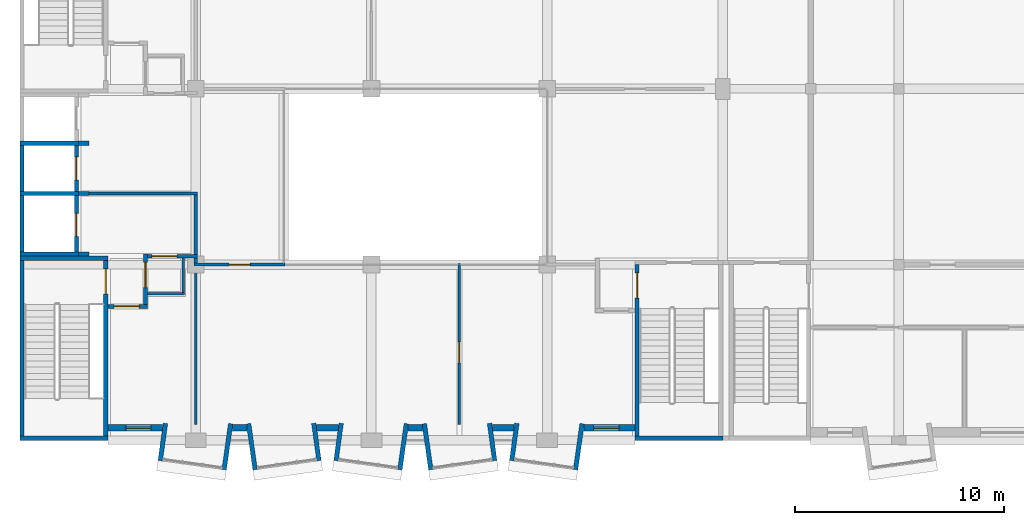
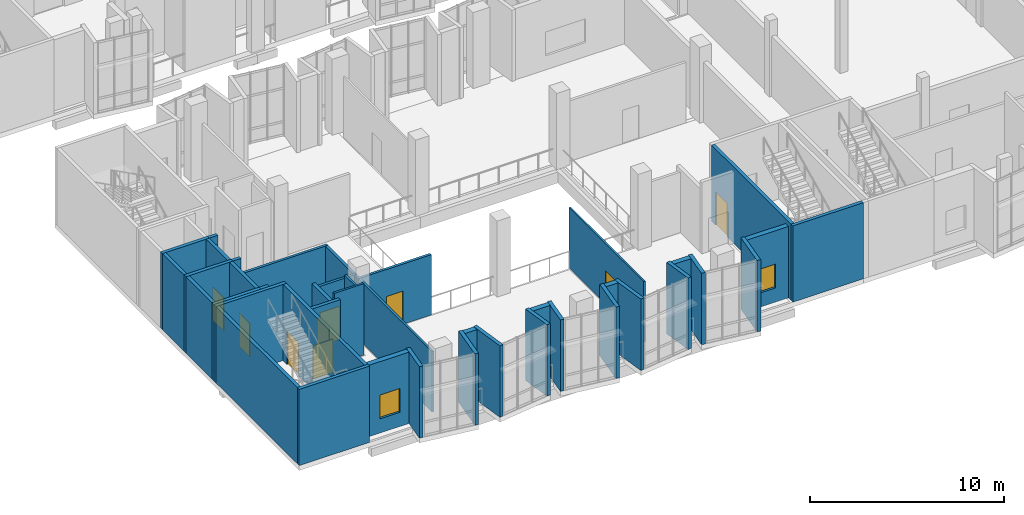
# One storey, part 41 of 86: 43 walls, 9 doors, 2 windows, 11 openings.
"""IFC4 building model written with IfcOpenShell, lengths in metres."""

from ifc_helpers import new_model, si_unit, direction, frame, frame_2d, origin, place, context, subcontext, project, spatial, rectangle, extrude, material, layer, layer_set, type_object, element, fill, save


model = new_model("IFC4")

# Units and contexts
model_context = context("Model", 3, precision=1e-05, world=origin(), true_north=direction((0.0, 1.0)))
body_context = subcontext(model_context, "Body", "Model", "MODEL_VIEW")
ifc_project = project(units=[si_unit("LENGTHUNIT", "METRE"), si_unit("AREAUNIT", "SQUARE_METRE"), si_unit("VOLUMEUNIT", "CUBIC_METRE"), si_unit("PLANEANGLEUNIT", "RADIAN"), si_unit("MASSUNIT", "GRAM", prefix="KILO")], contexts=[model_context])

# Site, building, storey
site_placement = place(None, origin())
site = spatial("IfcSite", under=ifc_project, at=site_placement, CompositionType="ELEMENT")
building_placement = place(site_placement, origin())
building = spatial("IfcBuilding", under=site, at=building_placement, Name="Kiln Court Media Centre", CompositionType="ELEMENT")
storey_placement = place(building_placement, frame((0.0, 0.0, 10.199951171875)))
storey = spatial("IfcBuildingStorey", under=building, at=storey_placement, Name="L02", CompositionType="ELEMENT", Elevation=10.199951171875)

# Wall, opening, door
ifc_material_1 = material(Name="Concrete block masonry M7.5", Category="masonry")
ifc_layer_1 = layer(ifc_material_1, 0.14990234375)
ifc_layer_set_1 = layer_set([ifc_layer_1], Name="Block lobby wall 150 EI 120")
wall_type_1 = type_object("IfcWallType", Name="Block lobby wall 150 EI 120", PredefinedType="SOLIDWALL", material=ifc_layer_set_1)
wall_1_placement = place(storey_placement, frame((6.10009765625, 8.800048828125, 0.0), z_axis=(0.0, 0.0, 1.0), x_axis=(1.0, 0.0, 0.0)))
wall_1 = element("IfcWall", 1, at=wall_1_placement, inside=storey, type_object=wall_type_1, Name="L02 block lobby wall", PredefinedType="SOLIDWALL", context=body_context, shape_type="SweptSolid", body=[
    extrude(rectangle(XDim=2.375, YDim=0.14990234375, at=frame_2d((1.1875, 0.0))), origin(), (0.0, 0.0, 1.0), 3.800048828125),
])
opening_1_placement = place(wall_1_placement, frame((0.199951171875, 0.0, 0.0)))
opening_1 = element("IfcOpeningElement", 2, at=opening_1_placement, cuts=wall_1, Name="Opening D2064", PredefinedType="OPENING", context=body_context, shape_type="SweptSolid", body=[
    extrude(rectangle(XDim=1.199951171875, YDim=2.10009765625, at=frame_2d((0.60009765625, 1.050048828125))), frame((0.0, 0.0849609375, 0.0), z_axis=(0.0, -1.0, 0.0), x_axis=(1.0, 0.0, 0.0)), (0.0, 0.0, 1.0), 0.169921875),
])
ifc_material_2 = material(Name="Steel S275", Category="steel")
door_type_1 = type_object("IfcDoorType", Name="Steel lobby door 1200 x 2100 FD120", OperationType="SINGLE_SWING_LEFT", PredefinedType="DOOR", material=ifc_material_2)
door_1_placement = place(opening_1_placement, origin())
door_1 = element("IfcDoor", 3, at=door_1_placement, inside=storey, type_object=door_type_1, Name="Wheelchair Refuge / Fire-fighting Lift Lobby", OperationType="SINGLE_SWING_RIGHT", OverallHeight=2.10009765625, OverallWidth=1.199951171875, PredefinedType="DOOR", context=body_context, shape_type="SweptSolid", body=[
    extrude(rectangle(XDim=1.199951171875, YDim=2.10009765625, at=frame_2d((0.60009765625, 1.050048828125))), frame((0.0, 0.02490234375, 0.0), z_axis=(0.0, -1.0, 0.0), x_axis=(1.0, 0.0, 0.0)), (0.0, 0.0, 1.0), 0.050048828125),
])
fill(opening_1, door_1)

# Walls
wall_2_placement = place(storey_placement, frame((3.300048828125, 11.800048828125, 0.0), z_axis=(0.0, 0.0, 1.0), x_axis=(1.0, 0.0, 0.0)))
element("IfcWall", 4, at=wall_2_placement, inside=storey, type_object=wall_type_1, Name="L02 block lobby wall", PredefinedType="SOLIDWALL", context=body_context, shape_type="SweptSolid", body=[
    extrude(rectangle(XDim=5.175048828125, YDim=0.14990234375, at=frame_2d((2.58740234375, 0.0))), origin(), (0.0, 0.0, 1.0), 3.800048828125),
])
wall_3_placement = place(storey_placement, frame((8.39990234375, 8.875, 0.0), z_axis=(0.0, 0.0, 1.0), x_axis=(0.0, 1.0, 0.0)))
element("IfcWall", 5, at=wall_3_placement, inside=storey, type_object=wall_type_1, Name="L02 block lobby wall", PredefinedType="SOLIDWALL", context=body_context, shape_type="SweptSolid", body=[
    extrude(rectangle(XDim=2.85009765625, YDim=0.14990234375, at=frame_2d((1.425048828125, 0.0))), origin(), (0.0, 0.0, 1.0), 3.800048828125),
])

# Wall, opening, door
ifc_material_3 = material(Name="Concrete block masonry M10", Category="masonry")
ifc_layer_2 = layer(ifc_material_3, 0.199951171875)
ifc_layer_set_2 = layer_set([ifc_layer_2], Name="Block vestibule wall 200 EI 240")
wall_type_2 = type_object("IfcWallType", Name="Block vestibule wall 200 EI 240", PredefinedType="SOLIDWALL", material=ifc_layer_set_2)
wall_4_placement = place(storey_placement, frame((4.2001953125, 6.39990234375, 0.0), z_axis=(0.0, 0.0, 1.0), x_axis=(1.0, 0.0, 0.0)))
wall_4 = element("IfcWall", 6, at=wall_4_placement, inside=storey, type_object=wall_type_2, Name="L02 block vestibule wall", PredefinedType="SOLIDWALL", context=body_context, shape_type="SweptSolid", body=[
    extrude(rectangle(XDim=1.89990234375, YDim=0.199951171875, at=frame_2d((0.949951171875, 0.0))), origin(), (0.0, 0.0, 1.0), 4.5),
])
opening_2_placement = place(wall_4_placement, frame((0.2998046875, 0.0, 0.0)))
opening_2 = element("IfcOpeningElement", 7, at=opening_2_placement, cuts=wall_4, Name="Opening D2042", PredefinedType="OPENING", context=body_context, shape_type="SweptSolid", body=[
    extrude(rectangle(XDim=1.199951171875, YDim=2.10009765625, at=frame_2d((0.60009765625, 1.050048828125))), frame((0.0, 0.10986328125, 0.0), z_axis=(0.0, -1.0, 0.0), x_axis=(1.0, 0.0, 0.0)), (0.0, 0.0, 1.0), 0.219970703125),
])
ifc_material_4 = material(Name="Steel S275", Category="steel")
door_type_2 = type_object("IfcDoorType", Name="Steel vestibule door 1200 x 2100 FD180", OperationType="SINGLE_SWING_LEFT", PredefinedType="DOOR", material=ifc_material_4)
door_2_placement = place(opening_2_placement, origin())
door_2 = element("IfcDoor", 8, at=door_2_placement, inside=storey, type_object=door_type_2, Name="Toilets and Accessible WC / Stair 1 Vestibule", OperationType="SINGLE_SWING_LEFT", OverallHeight=2.10009765625, OverallWidth=1.199951171875, PredefinedType="DOOR", context=body_context, shape_type="SweptSolid", body=[
    extrude(rectangle(XDim=1.199951171875, YDim=2.10009765625, at=frame_2d((0.60009765625, 1.050048828125))), frame((0.0, 0.02490234375, 0.0), z_axis=(0.0, -1.0, 0.0), x_axis=(1.0, 0.0, 0.0)), (0.0, 0.0, 1.0), 0.050048828125),
])
fill(opening_2, door_2)

wall_5_placement = place(storey_placement, frame((6.0, 6.5, 0.0), z_axis=(0.0, 0.0, 1.0), x_axis=(0.0, 1.0, 0.0)))
wall_5 = element("IfcWall", 9, at=wall_5_placement, inside=storey, type_object=wall_type_2, Name="L02 block vestibule wall", PredefinedType="SOLIDWALL", context=body_context, shape_type="SweptSolid", body=[
    extrude(rectangle(XDim=2.39990234375, YDim=0.199951171875, at=frame_2d((1.199951171875, 0.0))), origin(), (0.0, 0.0, 1.0), 4.0),
])
opening_3_placement = place(wall_5_placement, frame((0.800048828125, 0.0, 0.0)))
opening_3 = element("IfcOpeningElement", 10, at=opening_3_placement, cuts=wall_5, Name="Opening D2043", PredefinedType="OPENING", context=body_context, shape_type="SweptSolid", body=[
    extrude(rectangle(XDim=1.199951171875, YDim=2.10009765625, at=frame_2d((0.60009765625, 1.050048828125))), frame((0.0, 0.10986328125, 0.0), z_axis=(0.0, -1.0, 0.0), x_axis=(1.0, 0.0, 0.0)), (0.0, 0.0, 1.0), 0.219970703125),
])
door_3_placement = place(opening_3_placement, origin())
door_3 = element("IfcDoor", 11, at=door_3_placement, inside=storey, type_object=door_type_2, Name="Stair 1 Vestibule / Wheelchair Refuge", OperationType="SINGLE_SWING_RIGHT", OverallHeight=2.10009765625, OverallWidth=1.199951171875, PredefinedType="DOOR", context=body_context, shape_type="SweptSolid", body=[
    extrude(rectangle(XDim=1.199951171875, YDim=2.10009765625, at=frame_2d((0.60009765625, 1.050048828125))), frame((0.0, 0.02490234375, 0.0), z_axis=(0.0, -1.0, 0.0), x_axis=(1.0, 0.0, 0.0)), (0.0, 0.0, 1.0), 0.050048828125),
])
fill(opening_3, door_3)

# Walls
ifc_material_5 = material(Name="Brick masonry facing leaf with RC backing", Category="masonry")
ifc_layer_3 = layer(ifc_material_5, 0.215087890625)
ifc_layer_set_3 = layer_set([ifc_layer_3], Name="Brick masonry bay cheek wall 215")
wall_type_3 = type_object("IfcWallType", Name="Brick masonry bay cheek wall 215", PredefinedType="SOLIDWALL", material=ifc_layer_set_3)
wall_6_placement = place(storey_placement, frame((6.9560546875, 0.808837890625, 0.0), z_axis=(0.0, 0.0, 1.0), x_axis=(-0.139161311926, -0.990269725511, 0.0)))
element("IfcWall", 12, at=wall_6_placement, inside=storey, type_object=wall_type_3, Name="BAY V6A-S-L02-10 cheek L", PredefinedType="SOLIDWALL", context=body_context, shape_type="SweptSolid", body=[
    extrude(rectangle(XDim=1.800048828125, YDim=0.215087890625, at=frame_2d((0.89990234375, 0.0))), origin(), (0.0, 0.0, 1.0), 4.5),
])
for number, where, z_axis, x_axis, name in (
    (13, (10.0693359375, 0.794921875, 0.0), (0.0, 0.0, 1.0), (-0.139141913905, -0.990272451295, 0.0), "BAY V6A-S-L02-10 cheek R"),
    (14, (10.9306640625, 0.794921875, 0.0), (0.0, 0.0, 1.0), (0.139141913905, -0.990272451295, 0.0), "BAY V6A-S-L02-11 cheek L"),
):
    element("IfcWall", number, at=place(storey_placement, frame(where, z_axis=z_axis, x_axis=x_axis)), inside=storey, type_object=wall_type_3, Name=name, PredefinedType="SOLIDWALL", context=body_context, shape_type="SweptSolid", body=[
        extrude(rectangle(XDim=2.219482421875, YDim=0.215087890625, at=frame_2d((1.10986328125, 0.0))), origin(), (0.0, 0.0, 1.0), 4.5),
    ])
for number, where, z_axis, x_axis, name in (
    (15, (14.0439453125, 0.808837890625, 0.0), (0.0, 0.0, 1.0), (0.139161311926, -0.990269725511, 0.0), "BAY V6A-S-L02-11 cheek R"),
    (16, (15.35595703125, 0.808837890625, 0.0), (0.0, 0.0, 1.0), (-0.139161311926, -0.990269725511, 0.0), "BAY V6A-S-L02-12 cheek L"),
):
    element("IfcWall", number, at=place(storey_placement, frame(where, z_axis=z_axis, x_axis=x_axis)), inside=storey, type_object=wall_type_3, Name=name, PredefinedType="SOLIDWALL", context=body_context, shape_type="SweptSolid", body=[
        extrude(rectangle(XDim=1.800048828125, YDim=0.215087890625, at=frame_2d((0.89990234375, 0.0))), origin(), (0.0, 0.0, 1.0), 4.5),
    ])
wall_7_placement = place(storey_placement, frame((18.469482421875, 0.794921875, 0.0), z_axis=(0.0, 0.0, 1.0), x_axis=(-0.139249775508, -0.99025728981, 0.0)))
element("IfcWall", 17, at=wall_7_placement, inside=storey, type_object=wall_type_3, Name="BAY V6A-S-L02-12 cheek R", PredefinedType="SOLIDWALL", context=body_context, shape_type="SweptSolid", body=[
    extrude(rectangle(XDim=2.2197265625, YDim=0.215087890625, at=frame_2d((1.10986328125, 0.0))), origin(), (0.0, 0.0, 1.0), 4.5),
])
wall_8_placement = place(storey_placement, frame((19.33056640625, 0.794921875, 0.0), z_axis=(0.0, 0.0, 1.0), x_axis=(0.139141913905, -0.990272451295, 0.0)))
element("IfcWall", 18, at=wall_8_placement, inside=storey, type_object=wall_type_3, Name="BAY V6A-S-L02-13 cheek L", PredefinedType="SOLIDWALL", context=body_context, shape_type="SweptSolid", body=[
    extrude(rectangle(XDim=2.219482421875, YDim=0.215087890625, at=frame_2d((1.10986328125, 0.0))), origin(), (0.0, 0.0, 1.0), 4.5),
])
for number, where, z_axis, x_axis, name in (
    (19, (22.444091796875, 0.808837890625, 0.0), (0.0, 0.0, 1.0), (0.139161311926, -0.990269725511, 0.0), "BAY V6A-S-L02-13 cheek R"),
    (20, (23.756103515625, 0.808837890625, 0.0), (0.0, 0.0, 1.0), (-0.139161311926, -0.990269725511, 0.0), "BAY V6A-S-L02-14 cheek L"),
):
    element("IfcWall", number, at=place(storey_placement, frame(where, z_axis=z_axis, x_axis=x_axis)), inside=storey, type_object=wall_type_3, Name=name, PredefinedType="SOLIDWALL", context=body_context, shape_type="SweptSolid", body=[
        extrude(rectangle(XDim=1.800048828125, YDim=0.215087890625, at=frame_2d((0.89990234375, 0.0))), origin(), (0.0, 0.0, 1.0), 4.5),
    ])
wall_9_placement = place(storey_placement, frame((26.869384765625, 0.794921875, 0.0), z_axis=(0.0, 0.0, 1.0), x_axis=(-0.139141913905, -0.990272451295, 0.0)))
element("IfcWall", 21, at=wall_9_placement, inside=storey, type_object=wall_type_3, Name="BAY V6A-S-L02-14 cheek R", PredefinedType="SOLIDWALL", context=body_context, shape_type="SweptSolid", body=[
    extrude(rectangle(XDim=2.219482421875, YDim=0.215087890625, at=frame_2d((1.10986328125, 0.0))), origin(), (0.0, 0.0, 1.0), 4.5),
])

# Wall, opening, window
ifc_material_6 = material(Name="Brick masonry facing leaf with RC backing", Category="masonry")
ifc_layer_4 = layer(ifc_material_6, 0.300048828125)
ifc_layer_set_4 = layer_set([ifc_layer_4], Name="Brick masonry cavity wall 300")
wall_type_4 = type_object("IfcWallType", Name="Brick masonry cavity wall 300", PredefinedType="SOLIDWALL", material=ifc_layer_set_4)
wall_10_placement = place(storey_placement, frame((6.818115234375, 0.60009765625, 0.0), z_axis=(0.0, 0.0, 1.0), x_axis=(-1.0, 0.0, 0.0)))
wall_10 = element("IfcWall", 22, at=wall_10_placement, inside=storey, type_object=wall_type_4, Name="V6A-S facade L02 3030", PredefinedType="SOLIDWALL", context=body_context, shape_type="SweptSolid", body=[
    extrude(rectangle(XDim=2.617919921875, YDim=0.300048828125, at=frame_2d((1.30908203125, 0.0))), origin(), (0.0, 0.0, 1.0), 4.5),
])
opening_4_placement = place(wall_10_placement, frame((0.55908203125, 0.0, 0.89990234375)))
opening_4 = element("IfcOpeningElement", 23, at=opening_4_placement, cuts=wall_10, Name="Opening WN2003", PredefinedType="OPENING", context=body_context, shape_type="SweptSolid", body=[
    extrude(rectangle(XDim=1.199951171875, YDim=1.5, at=frame_2d((0.60009765625, 0.75))), frame((0.0, 0.159912109375, 0.0), z_axis=(0.0, -1.0, 0.0), x_axis=(1.0, 0.0, 0.0)), (0.0, 0.0, 1.0), 0.320068359375),
])
ifc_material_7 = material(Name="Aluminium 6063-T6", Category="aluminium")
window_type = type_object("IfcWindowType", Name="Aluminium window 1200x1500", PartitioningType="DOUBLE_PANEL_VERTICAL", PredefinedType="WINDOW", material=ifc_material_7)
window_1_placement = place(opening_4_placement, origin())
window_1 = element("IfcWindow", 24, at=window_1_placement, inside=storey, type_object=window_type, Name="WB window WN2003", OverallHeight=1.5, OverallWidth=1.199951171875, PartitioningType="SINGLE_PANEL", PredefinedType="WINDOW", context=body_context, shape_type="SweptSolid", body=[
    extrude(rectangle(XDim=1.199951171875, YDim=1.5, at=frame_2d((0.60009765625, 0.75))), frame((0.0, 0.030029296875, 0.0), z_axis=(0.0, -1.0, 0.0), x_axis=(1.0, 0.0, 0.0)), (0.0, 0.0, 1.0), 0.06005859375),
])
fill(opening_4, window_1)

# Walls
wall_11_placement = place(storey_placement, frame((10.849609375, 0.60009765625, 0.0), z_axis=(0.0, 0.0, 1.0), x_axis=(-1.0, 0.0, 0.0)))
element("IfcWall", 25, at=wall_11_placement, inside=storey, type_object=wall_type_4, Name="V6A-S facade L02 3031", PredefinedType="SOLIDWALL", context=body_context, shape_type="SweptSolid", body=[
    extrude(rectangle(XDim=0.69921875, YDim=0.300048828125, at=frame_2d((0.349609375, 0.0))), origin(), (0.0, 0.0, 1.0), 4.5),
])
wall_12_placement = place(storey_placement, frame((15.218017578125, 0.60009765625, 0.0), z_axis=(0.0, 0.0, 1.0), x_axis=(-1.0, 0.0, 0.0)))
element("IfcWall", 26, at=wall_12_placement, inside=storey, type_object=wall_type_4, Name="V6A-S facade L02 3032", PredefinedType="SOLIDWALL", context=body_context, shape_type="SweptSolid", body=[
    extrude(rectangle(XDim=1.0361328125, YDim=0.300048828125, at=frame_2d((0.51806640625, 0.0))), origin(), (0.0, 0.0, 1.0), 4.5),
])
wall_13_placement = place(storey_placement, frame((19.24951171875, 0.60009765625, 0.0), z_axis=(0.0, 0.0, 1.0), x_axis=(-1.0, 0.0, 0.0)))
element("IfcWall", 27, at=wall_13_placement, inside=storey, type_object=wall_type_4, Name="V6A-S facade L02 3033", PredefinedType="SOLIDWALL", context=body_context, shape_type="SweptSolid", body=[
    extrude(rectangle(XDim=0.698974609375, YDim=0.300048828125, at=frame_2d((0.349609375, 0.0))), origin(), (0.0, 0.0, 1.0), 4.5),
])
wall_14_placement = place(storey_placement, frame((23.6181640625, 0.60009765625, 0.0), z_axis=(0.0, 0.0, 1.0), x_axis=(-1.0, 0.0, 0.0)))
element("IfcWall", 28, at=wall_14_placement, inside=storey, type_object=wall_type_4, Name="V6A-S facade L02 3034", PredefinedType="SOLIDWALL", context=body_context, shape_type="SweptSolid", body=[
    extrude(rectangle(XDim=1.036376953125, YDim=0.300048828125, at=frame_2d((0.51806640625, 0.0))), origin(), (0.0, 0.0, 1.0), 4.5),
])

# Wall, opening, window
wall_15_placement = place(storey_placement, frame((29.39990234375, 0.60009765625, 0.0), z_axis=(0.0, 0.0, 1.0), x_axis=(-1.0, 0.0, 0.0)))
wall_15 = element("IfcWall", 29, at=wall_15_placement, inside=storey, type_object=wall_type_4, Name="V6A-S facade L02 3035", PredefinedType="SOLIDWALL", context=body_context, shape_type="SweptSolid", body=[
    extrude(rectangle(XDim=2.449462890625, YDim=0.300048828125, at=frame_2d((1.224609375, 0.0))), origin(), (0.0, 0.0, 1.0), 4.5),
])
opening_5_placement = place(wall_15_placement, frame((0.77490234375, 0.0, 0.89990234375)))
opening_5 = element("IfcOpeningElement", 30, at=opening_5_placement, cuts=wall_15, Name="Opening WN2004", PredefinedType="OPENING", context=body_context, shape_type="SweptSolid", body=[
    extrude(rectangle(XDim=1.199951171875, YDim=1.5, at=frame_2d((0.60009765625, 0.75))), frame((0.0, 0.159912109375, 0.0), z_axis=(0.0, -1.0, 0.0), x_axis=(1.0, 0.0, 0.0)), (0.0, 0.0, 1.0), 0.320068359375),
])
window_2_placement = place(opening_5_placement, origin())
window_2 = element("IfcWindow", 31, at=window_2_placement, inside=storey, type_object=window_type, Name="WB window WN2004", OverallHeight=1.5, OverallWidth=1.199951171875, PartitioningType="SINGLE_PANEL", PredefinedType="WINDOW", context=body_context, shape_type="SweptSolid", body=[
    extrude(rectangle(XDim=1.199951171875, YDim=1.5, at=frame_2d((0.60009765625, 0.75))), frame((0.0, 0.030029296875, 0.0), z_axis=(0.0, -1.0, 0.0), x_axis=(1.0, 0.0, 0.0)), (0.0, 0.0, 1.0), 0.06005859375),
])
fill(opening_5, window_2)

# Walls
ifc_material_8 = material(Name="Concrete C40/50", Category="concrete")
ifc_layer_5 = layer(ifc_material_8, 0.199951171875)
ifc_layer_set_5 = layer_set([ifc_layer_5], Name="Concrete C40/50 shear wall 200")
wall_type_5 = type_object("IfcWallType", Name="Concrete C40/50 shear wall 200", PredefinedType="SHEAR", material=ifc_layer_set_5)
for number, where, z_axis, x_axis, name in (
    (32, (4.199951171875, 0.10009765625, 0.0), (0.0, 0.0, 1.0), (-1.0, 0.0, 0.0), "L02-W-1000"),
    (33, (0.00048828125, 8.699951171875, 0.0), (0.0, 0.0, 1.0), (1.0, 0.0, 0.0), "L02-W-1001"),
):
    element("IfcWall", number, at=place(storey_placement, frame(where, z_axis=z_axis, x_axis=x_axis)), inside=storey, type_object=wall_type_5, Name=name, PredefinedType="SHEAR", context=body_context, shape_type="SweptSolid", body=[
        extrude(rectangle(XDim=4.199462890625, YDim=0.199951171875, at=frame_2d((2.099609375, 0.0))), origin(), (0.0, 0.0, 1.0), 4.800048828125),
    ])
wall_16_placement = place(storey_placement, frame((0.100341796875, 0.199951171875, 0.0), z_axis=(0.0, 0.0, 1.0), x_axis=(0.0, 1.0, 0.0)))
element("IfcWall", 34, at=wall_16_placement, inside=storey, type_object=wall_type_5, Name="L02-W-1002", PredefinedType="SHEAR", context=body_context, shape_type="SweptSolid", body=[
    extrude(rectangle(XDim=8.400146484375, YDim=0.199951171875, at=frame_2d((4.2001953125, 0.0))), origin(), (0.0, 0.0, 1.0), 4.800048828125),
])

# Wall, opening, door
wall_17_placement = place(storey_placement, frame((4.10009765625, 8.60009765625, 0.0), z_axis=(0.0, 0.0, 1.0), x_axis=(0.0, -1.0, 0.0)))
wall_17 = element("IfcWall", 35, at=wall_17_placement, inside=storey, type_object=wall_type_5, Name="L02-W-1003", PredefinedType="SHEAR", context=body_context, shape_type="SweptSolid", body=[
    extrude(rectangle(XDim=8.400146484375, YDim=0.199951171875, at=frame_2d((4.2001953125, 0.0))), origin(), (0.0, 0.0, 1.0), 4.800048828125),
])
opening_6_placement = place(wall_17_placement, frame((0.400146484375, 0.0, 0.0)))
opening_6 = element("IfcOpeningElement", 36, at=opening_6_placement, cuts=wall_17, Name="Opening D2013", PredefinedType="OPENING", context=body_context, shape_type="SweptSolid", body=[
    extrude(rectangle(XDim=1.199951171875, YDim=2.10009765625, at=frame_2d((0.60009765625, 1.050048828125))), frame((0.0, 0.10986328125, 0.0), z_axis=(0.0, -1.0, 0.0), x_axis=(1.0, 0.0, 0.0)), (0.0, 0.0, 1.0), 0.219970703125),
])
ifc_material_9 = material(Name="Steel S275", Category="steel")
door_type_3 = type_object("IfcDoorType", Name="Steel stair door 1200 x 2100 FD180", OperationType="SINGLE_SWING_LEFT", PredefinedType="DOOR", material=ifc_material_9)
door_4_placement = place(opening_6_placement, origin())
door_4 = element("IfcDoor", 37, at=door_4_placement, inside=storey, type_object=door_type_3, Name="Stair 1 / Stair 1 Vestibule", OperationType="SINGLE_SWING_RIGHT", OverallHeight=2.10009765625, OverallWidth=1.199951171875, PredefinedType="DOOR", context=body_context, shape_type="SweptSolid", body=[
    extrude(rectangle(XDim=1.199951171875, YDim=2.10009765625, at=frame_2d((0.60009765625, 1.050048828125))), frame((0.0, 0.02490234375, 0.0), z_axis=(0.0, -1.0, 0.0), x_axis=(1.0, 0.0, 0.0)), (0.0, 0.0, 1.0), 0.050048828125),
])
fill(opening_6, door_4)

# Wall
wall_18_placement = place(storey_placement, frame((33.60009765625, 0.10009765625, 0.0), z_axis=(0.0, 0.0, 1.0), x_axis=(-1.0, 0.0, 0.0)))
element("IfcWall", 38, at=wall_18_placement, inside=storey, type_object=wall_type_5, Name="L02-W-1008", PredefinedType="SHEAR", context=body_context, shape_type="SweptSolid", body=[
    extrude(rectangle(XDim=4.2001953125, YDim=0.199951171875, at=frame_2d((2.10009765625, 0.0))), origin(), (0.0, 0.0, 1.0), 4.800048828125),
])

# Wall, opening, door
wall_19_placement = place(storey_placement, frame((29.5, 0.199951171875, 0.0), z_axis=(0.0, 0.0, 1.0), x_axis=(0.0, 1.0, 0.0)))
wall_19 = element("IfcWall", 39, at=wall_19_placement, inside=storey, type_object=wall_type_5, Name="L02-W-1010", PredefinedType="SHEAR", context=body_context, shape_type="SweptSolid", body=[
    extrude(rectangle(XDim=8.199951171875, YDim=0.199951171875, at=frame_2d((4.10009765625, 0.0))), origin(), (0.0, 0.0, 1.0), 4.800048828125),
])
opening_7_placement = place(wall_19_placement, frame((6.60009765625, 0.0, 0.0)))
opening_7 = element("IfcOpeningElement", 40, at=opening_7_placement, cuts=wall_19, Name="Opening D2014", PredefinedType="OPENING", context=body_context, shape_type="SweptSolid", body=[
    extrude(rectangle(XDim=1.199951171875, YDim=2.10009765625, at=frame_2d((0.60009765625, 1.050048828125))), frame((0.0, 0.10986328125, 0.0), z_axis=(0.0, -1.0, 0.0), x_axis=(1.0, 0.0, 0.0)), (0.0, 0.0, 1.0), 0.219970703125),
])
door_5_placement = place(opening_7_placement, origin())
door_5 = element("IfcDoor", 41, at=door_5_placement, inside=storey, type_object=door_type_3, Name="Stair 3 / Stair 3 Vestibule", OperationType="SINGLE_SWING_RIGHT", OverallHeight=2.10009765625, OverallWidth=1.199951171875, PredefinedType="DOOR", context=body_context, shape_type="SweptSolid", body=[
    extrude(rectangle(XDim=1.199951171875, YDim=2.10009765625, at=frame_2d((0.60009765625, 1.050048828125))), frame((0.0, 0.02490234375, 0.0), z_axis=(0.0, -1.0, 0.0), x_axis=(1.0, 0.0, 0.0)), (0.0, 0.0, 1.0), 0.050048828125),
])
fill(opening_7, door_5)

# Walls
for number, where, z_axis, x_axis, name in (
    (42, (2.800048828125, 8.89990234375, 0.0), (0.0, 0.0, 1.0), (-1.0, 0.0, 0.0), "L02-W-1068"),
    (43, (0.00048828125, 11.800048828125, 0.0), (0.0, 0.0, 1.0), (1.0, 0.0, 0.0), "L02-W-1069"),
):
    element("IfcWall", number, at=place(storey_placement, frame(where, z_axis=z_axis, x_axis=x_axis)), inside=storey, type_object=wall_type_5, Name=name, PredefinedType="SHEAR", context=body_context, shape_type="SweptSolid", body=[
        extrude(rectangle(XDim=2.799560546875, YDim=0.199951171875, at=frame_2d((1.39990234375, 0.0))), origin(), (0.0, 0.0, 1.0), 4.800048828125),
    ])
wall_20_placement = place(storey_placement, frame((0.100341796875, 9.0, 0.0), z_axis=(0.0, 0.0, 1.0), x_axis=(0.0, 1.0, 0.0)))
element("IfcWall", 44, at=wall_20_placement, inside=storey, type_object=wall_type_5, Name="L02-W-1070", PredefinedType="SHEAR", context=body_context, shape_type="SweptSolid", body=[
    extrude(rectangle(XDim=2.699951171875, YDim=0.199951171875, at=frame_2d((1.35009765625, 0.0))), origin(), (0.0, 0.0, 1.0), 4.800048828125),
])

# Wall, opening, door
wall_21_placement = place(storey_placement, frame((2.699951171875, 11.699951171875, 0.0), z_axis=(0.0, 0.0, 1.0), x_axis=(0.0, -1.0, 0.0)))
wall_21 = element("IfcWall", 45, at=wall_21_placement, inside=storey, type_object=wall_type_5, Name="L02-W-1071", PredefinedType="SHEAR", context=body_context, shape_type="SweptSolid", body=[
    extrude(rectangle(XDim=2.699951171875, YDim=0.199951171875, at=frame_2d((1.35009765625, 0.0))), origin(), (0.0, 0.0, 1.0), 4.800048828125),
])
opening_8_placement = place(wall_21_placement, frame((0.85009765625, 0.0, 0.0)))
opening_8 = element("IfcOpeningElement", 46, at=opening_8_placement, cuts=wall_21, Name="Opening LD201", PredefinedType="OPENING", context=body_context, shape_type="SweptSolid", body=[
    extrude(rectangle(XDim=1.10009765625, YDim=2.10009765625, at=frame_2d((0.550048828125, 1.050048828125))), frame((0.0, 0.10986328125, 0.0), z_axis=(0.0, -1.0, 0.0), x_axis=(1.0, 0.0, 0.0)), (0.0, 0.0, 1.0), 0.219970703125),
])
ifc_material_10 = material(Name="Stainless steel", Category="steel")
door_type_4 = type_object("IfcDoorType", Name="Firefighting lift landing door 1100 x 2100 FD120", OperationType="SLIDING_TO_LEFT", PredefinedType="DOOR", material=ifc_material_10)
door_6_placement = place(opening_8_placement, origin())
door_6 = element("IfcDoor", 47, at=door_6_placement, inside=storey, type_object=door_type_4, Name="LF-01 landing door L02", OperationType="SLIDING_TO_LEFT", OverallHeight=2.10009765625, OverallWidth=1.10009765625, PredefinedType="DOOR", context=body_context, shape_type="SweptSolid", body=[
    extrude(rectangle(XDim=1.10009765625, YDim=2.10009765625, at=frame_2d((0.550048828125, 1.050048828125))), frame((0.0, 0.02490234375, 0.0), z_axis=(0.0, -1.0, 0.0), x_axis=(1.0, 0.0, 0.0)), (0.0, 0.0, 1.0), 0.050048828125),
])
fill(opening_8, door_6)

# Walls
wall_22_placement = place(storey_placement, frame((0.00048828125, 14.199951171875, 0.0), z_axis=(0.0, 0.0, 1.0), x_axis=(1.0, 0.0, 0.0)))
element("IfcWall", 48, at=wall_22_placement, inside=storey, type_object=wall_type_5, Name="L02-W-1072", PredefinedType="SHEAR", context=body_context, shape_type="SweptSolid", body=[
    extrude(rectangle(XDim=2.799560546875, YDim=0.199951171875, at=frame_2d((1.39990234375, 0.0))), origin(), (0.0, 0.0, 1.0), 4.800048828125),
])
wall_23_placement = place(storey_placement, frame((0.100341796875, 11.89990234375, 0.0), z_axis=(0.0, 0.0, 1.0), x_axis=(0.0, 1.0, 0.0)))
element("IfcWall", 49, at=wall_23_placement, inside=storey, type_object=wall_type_5, Name="L02-W-1073", PredefinedType="SHEAR", context=body_context, shape_type="SweptSolid", body=[
    extrude(rectangle(XDim=2.2001953125, YDim=0.199951171875, at=frame_2d((1.10009765625, 0.0))), origin(), (0.0, 0.0, 1.0), 4.800048828125),
])

# Wall, opening, door
wall_24_placement = place(storey_placement, frame((2.699951171875, 14.10009765625, 0.0), z_axis=(0.0, 0.0, 1.0), x_axis=(0.0, -1.0, 0.0)))
wall_24 = element("IfcWall", 50, at=wall_24_placement, inside=storey, type_object=wall_type_5, Name="L02-W-1074", PredefinedType="SHEAR", context=body_context, shape_type="SweptSolid", body=[
    extrude(rectangle(XDim=2.2001953125, YDim=0.199951171875, at=frame_2d((1.10009765625, 0.0))), origin(), (0.0, 0.0, 1.0), 4.800048828125),
])
opening_9_placement = place(wall_24_placement, frame((0.550048828125, 0.0, 0.0)))
opening_9 = element("IfcOpeningElement", 51, at=opening_9_placement, cuts=wall_24, Name="Opening LD202", PredefinedType="OPENING", context=body_context, shape_type="SweptSolid", body=[
    extrude(rectangle(XDim=1.10009765625, YDim=2.10009765625, at=frame_2d((0.550048828125, 1.050048828125))), frame((0.0, 0.10986328125, 0.0), z_axis=(0.0, -1.0, 0.0), x_axis=(1.0, 0.0, 0.0)), (0.0, 0.0, 1.0), 0.219970703125),
])
ifc_material_11 = material(Name="Stainless steel", Category="steel")
door_type_5 = type_object("IfcDoorType", Name="Lift landing door 1100 x 2100 FD120", OperationType="SLIDING_TO_LEFT", PredefinedType="DOOR", material=ifc_material_11)
door_7_placement = place(opening_9_placement, origin())
door_7 = element("IfcDoor", 52, at=door_7_placement, inside=storey, type_object=door_type_5, Name="LF-02 landing door L02", OperationType="SLIDING_TO_LEFT", OverallHeight=2.10009765625, OverallWidth=1.10009765625, PredefinedType="DOOR", context=body_context, shape_type="SweptSolid", body=[
    extrude(rectangle(XDim=1.10009765625, YDim=2.10009765625, at=frame_2d((0.550048828125, 1.050048828125))), frame((0.0, 0.02490234375, 0.0), z_axis=(0.0, -1.0, 0.0), x_axis=(1.0, 0.0, 0.0)), (0.0, 0.0, 1.0), 0.050048828125),
])
fill(opening_9, door_7)

# Walls
for number, where, z_axis, x_axis, name in (
    (53, (3.300048828125, 8.89990234375, 0.0), (0.0, 0.0, 1.0), (-1.0, 0.0, 0.0), "L02-W-1147"),
    (54, (2.800048828125, 11.800048828125, 0.0), (0.0, 0.0, 1.0), (1.0, 0.0, 0.0), "L02-W-1148"),
    (55, (2.800048828125, 14.199951171875, 0.0), (0.0, 0.0, 1.0), (1.0, 0.0, 0.0), "L02-W-1149"),
):
    element("IfcWall", number, at=place(storey_placement, frame(where, z_axis=z_axis, x_axis=x_axis)), inside=storey, type_object=wall_type_5, Name=name, PredefinedType="SHEAR", context=body_context, shape_type="SweptSolid", body=[
        extrude(rectangle(XDim=0.5, YDim=0.199951171875, at=frame_2d((0.25, 0.0))), origin(), (0.0, 0.0, 1.0), 4.800048828125),
    ])

# Wall, opening, door
ifc_material_12 = material(Name="Gypsum plasterboard", Category="gypsum")
ifc_layer_6 = layer(ifc_material_12, 0.14990234375)
ifc_layer_set_6 = layer_set([ifc_layer_6], Name="Gypsum corridor partition 150 EI 60")
wall_type_6 = type_object("IfcWallType", Name="Gypsum corridor partition 150 EI 60", PredefinedType="PARTITIONING", material=ifc_layer_set_6)
wall_25_placement = place(storey_placement, frame((8.324951171875, 8.39990234375, 0.0), z_axis=(0.0, 0.0, 1.0), x_axis=(1.0, 0.0, 0.0)))
wall_25 = element("IfcWall", 56, at=wall_25_placement, inside=storey, type_object=wall_type_6, Name="L02 gypsum corridor partition", PredefinedType="PARTITIONING", context=body_context, shape_type="SweptSolid", body=[
    extrude(rectangle(XDim=4.35009765625, YDim=0.14990234375, at=frame_2d((2.175048828125, 0.0))), origin(), (0.0, 0.0, 1.0), 3.800048828125),
])
opening_10_placement = place(wall_25_placement, frame((1.675048828125, 0.0, 0.0)))
opening_10 = element("IfcOpeningElement", 57, at=opening_10_placement, cuts=wall_25, Name="Opening D2071", PredefinedType="OPENING", context=body_context, shape_type="SweptSolid", body=[
    extrude(rectangle(XDim=1.0, YDim=2.10009765625, at=frame_2d((0.5, 1.050048828125))), frame((0.0, 0.0849609375, 0.0), z_axis=(0.0, -1.0, 0.0), x_axis=(1.0, 0.0, 0.0)), (0.0, 0.0, 1.0), 0.169921875),
])
ifc_material_13 = material(Name="Steel S275", Category="steel")
door_type_6 = type_object("IfcDoorType", Name="Steel corridor door 1000 x 2100 FD30S", OperationType="SINGLE_SWING_LEFT", PredefinedType="DOOR", material=ifc_material_13)
door_8_placement = place(opening_10_placement, origin())
door_8 = element("IfcDoor", 58, at=door_8_placement, inside=storey, type_object=door_type_6, Name="Reading Room 1 / Gallery Landing", OperationType="SINGLE_SWING_RIGHT", OverallHeight=2.10009765625, OverallWidth=1.0, PredefinedType="DOOR", context=body_context, shape_type="SweptSolid", body=[
    extrude(rectangle(XDim=1.0, YDim=2.10009765625, at=frame_2d((0.5, 1.050048828125))), frame((0.0, 0.02490234375, 0.0), z_axis=(0.0, -1.0, 0.0), x_axis=(1.0, 0.0, 0.0)), (0.0, 0.0, 1.0), 0.050048828125),
])
fill(opening_10, door_8)

# Wall
wall_26_placement = place(storey_placement, frame((8.39990234375, 8.47509765625, 0.0), z_axis=(0.0, 0.0, 1.0), x_axis=(0.0, 1.0, 0.0)))
element("IfcWall", 59, at=wall_26_placement, inside=storey, type_object=wall_type_6, Name="L02 gypsum corridor partition", PredefinedType="PARTITIONING", context=body_context, shape_type="SweptSolid", body=[
    extrude(rectangle(XDim=0.25, YDim=0.14990234375, at=frame_2d((0.125, 0.0))), origin(), (0.0, 0.0, 1.0), 3.800048828125),
])

# Wall, opening, door
ifc_material_14 = material(Name="Gypsum plasterboard", Category="gypsum")
ifc_layer_7 = layer(ifc_material_14, 0.10009765625)
ifc_layer_set_7 = layer_set([ifc_layer_7], Name="Gypsum stud partition 100")
wall_type_7 = type_object("IfcWallType", Name="Gypsum stud partition 100", PredefinedType="PARTITIONING", material=ifc_layer_set_7)
wall_27_placement = place(storey_placement, frame((21.0, 0.75, 0.0), z_axis=(0.0, 0.0, 1.0), x_axis=(0.0, 1.0, 0.0)))
wall_27 = element("IfcWall", 60, at=wall_27_placement, inside=storey, type_object=wall_type_7, Name="L02 gypsum stud partition", PredefinedType="PARTITIONING", context=body_context, shape_type="SweptSolid", body=[
    extrude(rectangle(XDim=7.699951171875, YDim=0.10009765625, at=frame_2d((3.85009765625, 0.0))), origin(), (0.0, 0.0, 1.0), 3.800048828125),
])
opening_11_placement = place(wall_27_placement, frame((2.949951171875, 0.0, 0.0)))
opening_11 = element("IfcOpeningElement", 61, at=opening_11_placement, cuts=wall_27, Name="Opening D2063", PredefinedType="OPENING", context=body_context, shape_type="SweptSolid", body=[
    extrude(rectangle(XDim=1.0, YDim=2.10009765625, at=frame_2d((0.5, 1.050048828125))), frame((0.0, 0.06005859375, 0.0), z_axis=(0.0, -1.0, 0.0), x_axis=(1.0, 0.0, 0.0)), (0.0, 0.0, 1.0), 0.1201171875),
])
ifc_material_15 = material(Name="Timber", Category="wood")
door_type_7 = type_object("IfcDoorType", Name="Timber door 1000 x 2100", OperationType="SINGLE_SWING_LEFT", PredefinedType="DOOR", material=ifc_material_15)
door_9_placement = place(opening_11_placement, origin())
door_9 = element("IfcDoor", 62, at=door_9_placement, inside=storey, type_object=door_type_7, Name="Reading Room 1 / Reading Room 2", OperationType="SINGLE_SWING_RIGHT", OverallHeight=2.10009765625, OverallWidth=1.0, PredefinedType="DOOR", context=body_context, shape_type="SweptSolid", body=[
    extrude(rectangle(XDim=1.0, YDim=2.10009765625, at=frame_2d((0.5, 1.050048828125))), frame((0.0, 0.02490234375, 0.0), z_axis=(0.0, -1.0, 0.0), x_axis=(1.0, 0.0, 0.0)), (0.0, 0.0, 1.0), 0.050048828125),
])
fill(opening_11, door_9)

# Walls
ifc_material_16 = material(Name="Gypsum plasterboard", Category="gypsum")
ifc_layer_8 = layer(ifc_material_16, 0.125)
ifc_layer_set_8 = layer_set([ifc_layer_8], Name="Gypsum wet-area partition 125")
wall_type_8 = type_object("IfcWallType", Name="Gypsum wet-area partition 125", PredefinedType="PARTITIONING", material=ifc_layer_set_8)
wall_28_placement = place(storey_placement, frame((6.10009765625, 7.0, 0.0), z_axis=(0.0, 0.0, 1.0), x_axis=(1.0, 0.0, 0.0)))
element("IfcWall", 63, at=wall_28_placement, inside=storey, type_object=wall_type_8, Name="L02 gypsum wet-area partition", PredefinedType="PARTITIONING", context=body_context, shape_type="SweptSolid", body=[
    extrude(rectangle(XDim=1.762451171875, YDim=0.125, at=frame_2d((0.88134765625, 0.0))), origin(), (0.0, 0.0, 1.0), 4.5),
])
wall_29_placement = place(storey_placement, frame((7.800048828125, 7.0625, 0.0), z_axis=(0.0, 0.0, 1.0), x_axis=(0.0, 1.0, 0.0)))
element("IfcWall", 64, at=wall_29_placement, inside=storey, type_object=wall_type_8, Name="L02 gypsum wet-area partition", PredefinedType="PARTITIONING", context=body_context, shape_type="SweptSolid", body=[
    extrude(rectangle(XDim=1.66259765625, YDim=0.125, at=frame_2d((0.831298828125, 0.0))), origin(), (0.0, 0.0, 1.0), 4.0),
])
wall_30_placement = place(storey_placement, frame((8.39990234375, 0.75, 0.0), z_axis=(0.0, 0.0, 1.0), x_axis=(0.0, 1.0, 0.0)))
element("IfcWall", 65, at=wall_30_placement, inside=storey, type_object=wall_type_8, Name="L02 gypsum wet-area partition", PredefinedType="PARTITIONING", context=body_context, shape_type="SweptSolid", body=[
    extrude(rectangle(XDim=7.574951171875, YDim=0.125, at=frame_2d((3.78759765625, 0.0))), origin(), (0.0, 0.0, 1.0), 3.800048828125),
])

save(model, "model.ifc")
